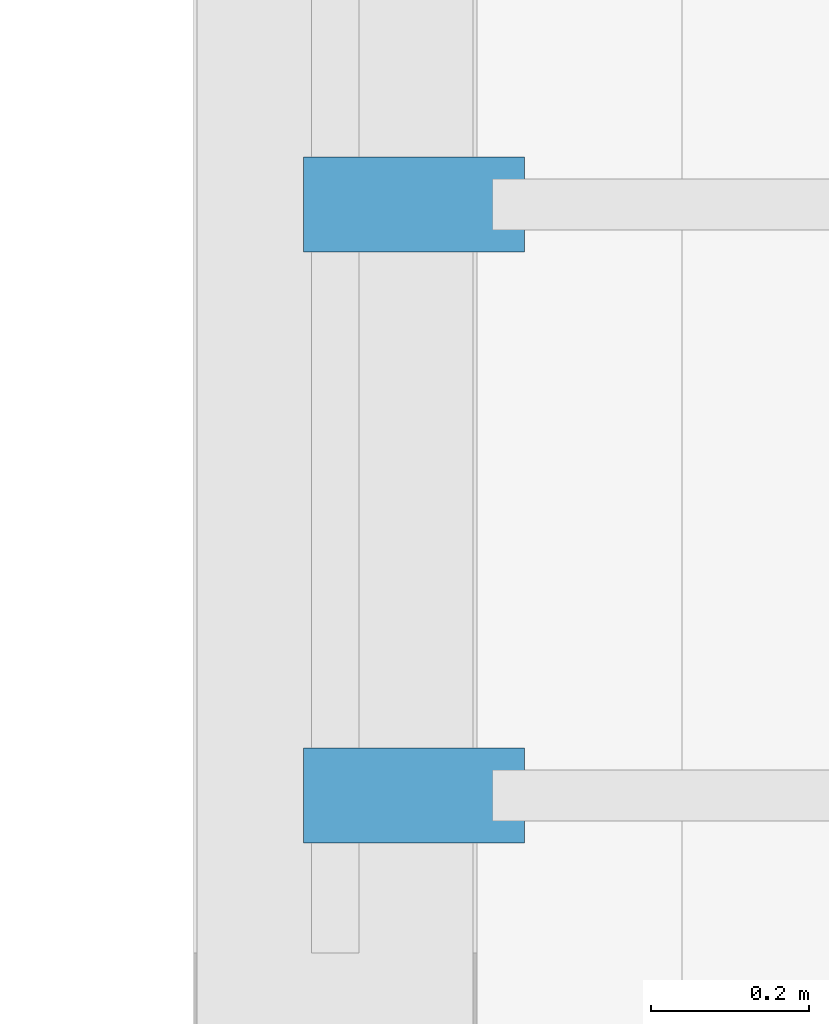
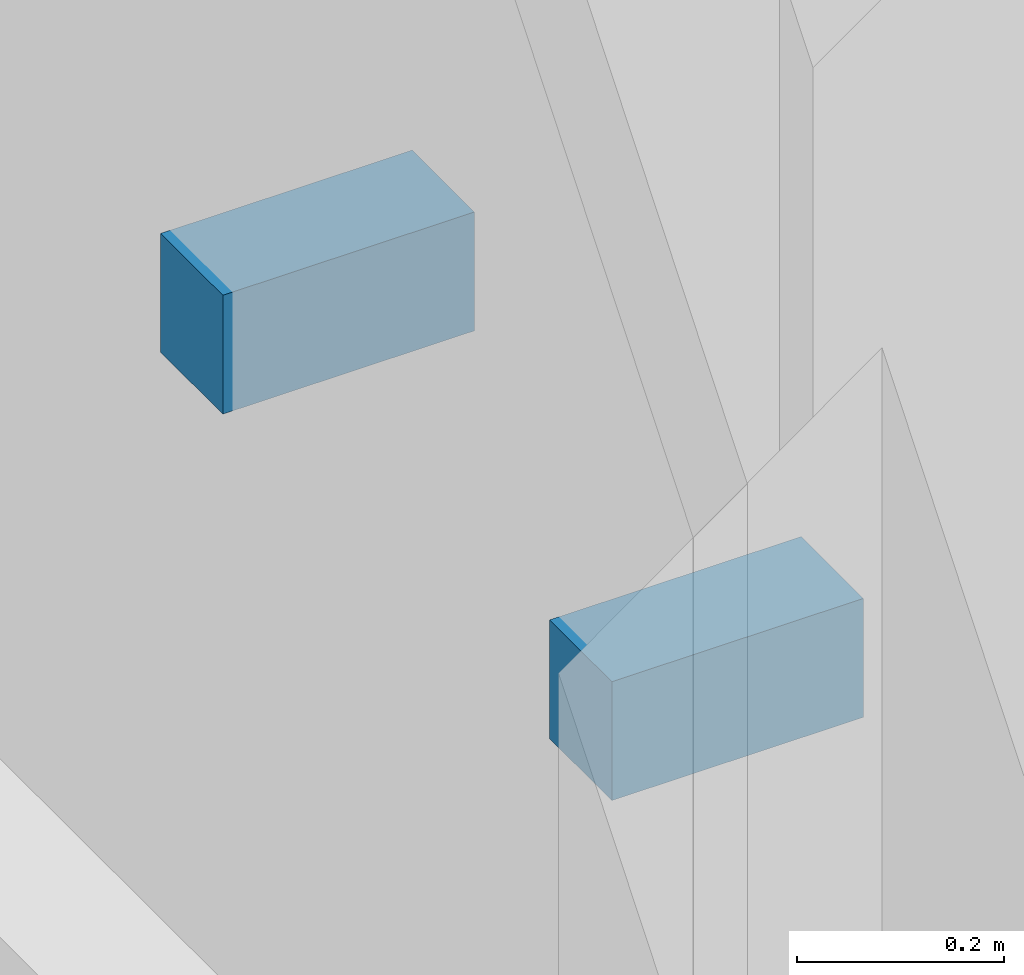
# One storey, part 148 of 179: 2 discrete accessories.
"""IFC4 building model written with IfcOpenShell, lengths in metres."""

from ifc_helpers import new_model, si_unit, direction, frame, origin, origin_2d, place, context, subcontext, project, spatial, rectangle, extrude, material, type_object, element, save


model = new_model("IFC4")

# Units and contexts
model_context = context("Model", 3, precision=1e-05, world=origin(), true_north=direction((0.0, 1.0)))
body_context = subcontext(model_context, "Body", "Model", "MODEL_VIEW")
ifc_project = project(units=[si_unit("LENGTHUNIT", "METRE"), si_unit("AREAUNIT", "SQUARE_METRE"), si_unit("VOLUMEUNIT", "CUBIC_METRE"), si_unit("PLANEANGLEUNIT", "RADIAN"), si_unit("MASSUNIT", "GRAM", prefix="KILO")], contexts=[model_context])

# Site, building, storey
site_placement = place(None, origin())
site = spatial("IfcSite", under=ifc_project, at=site_placement, CompositionType="ELEMENT")
building_placement = place(site_placement, origin())
building = spatial("IfcBuilding", under=site, at=building_placement, Name="Corvandel Quay Wholesale Market", CompositionType="ELEMENT")
storey_placement = place(building_placement, frame((0.0, 0.0, 6.0)))
storey = spatial("IfcBuildingStorey", under=building, at=storey_placement, Name="L01", CompositionType="ELEMENT", Elevation=6.0)

# Discrete accessories
ifc_material = material(Name="Austenitic stainless steel Grade 316", Category="steel")
discrete_accessory_type = type_object("IfcDiscreteAccessoryType", Name="Stainless Solar Fin Fixing Bracket BRK01", PredefinedType="USERDEFINED", material=ifc_material)
for number, where, z_axis, x_axis, name in (
    (1, (20.10009765625, 135.639892578125, 1.8798828125), (0.0, 0.0, 1.0), (1.0, 0.0, 0.0), "Fin Bracket 0738"),
    (2, (20.10009765625, 136.389892578125, 1.8798828125), (0.0, 0.0, 1.0), (1.0, 0.0, 0.0), "Fin Bracket 0739"),
):
    element("IfcDiscreteAccessory", number, at=place(storey_placement, frame(where, z_axis=z_axis, x_axis=x_axis)), inside=storey, type_object=discrete_accessory_type, Name=name, ObjectType="BRACKET", PredefinedType="USERDEFINED", context=body_context, shape_type="SweptSolid", body=[
        extrude(rectangle(XDim=0.280029296875, YDim=0.1201171875, at=origin_2d()), origin(), (0.0, 0.0, 1.0), 0.139892578125),
    ])

save(model, "model.ifc")
